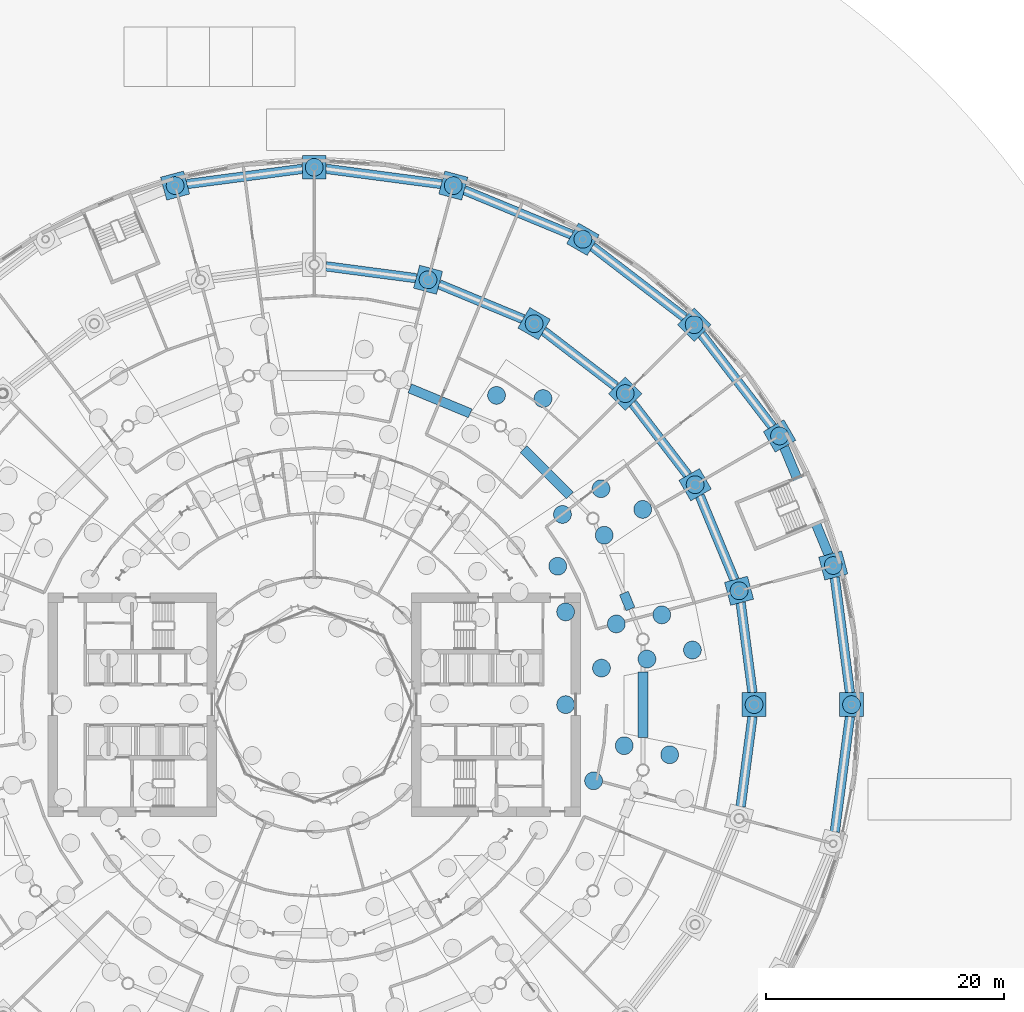
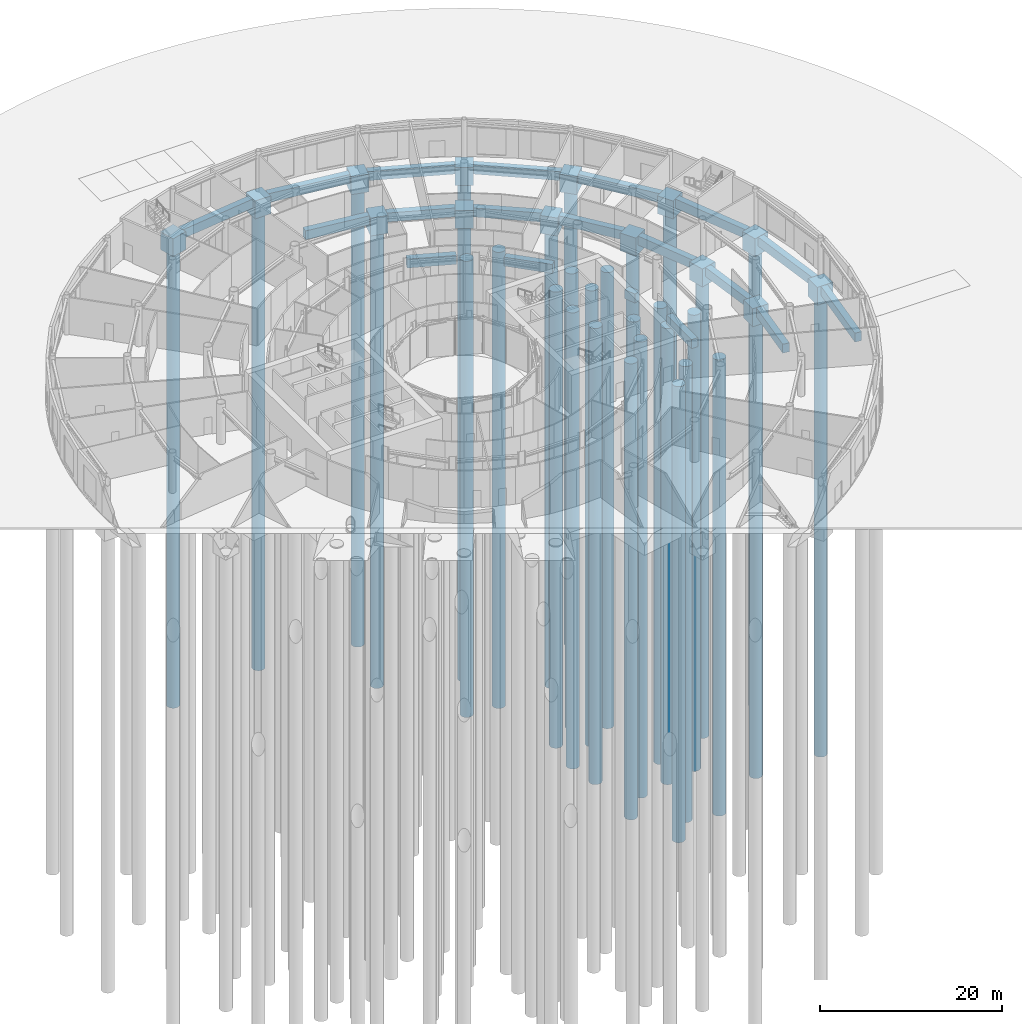
# One storey, part 3 of 41: 33 footings, 31 piles.
"""IFC4 building model written with IfcOpenShell, lengths in metres."""

from ifc_helpers import new_model, si_unit, direction, frame, origin, origin_2d, place, context, subcontext, project, spatial, polyline, rectangle, circle, outline, extrude, material, layer, layer_set, material_profile, profile_set, type_object, element, save


model = new_model("IFC4")

# Units and contexts
model_context = context("Model", 3, precision=1e-05, world=origin(), true_north=direction((0.0, 1.0)))
body_context = subcontext(model_context, "Body", "Model", "MODEL_VIEW")
ifc_project = project(units=[si_unit("LENGTHUNIT", "METRE"), si_unit("AREAUNIT", "SQUARE_METRE"), si_unit("VOLUMEUNIT", "CUBIC_METRE"), si_unit("PLANEANGLEUNIT", "RADIAN"), si_unit("MASSUNIT", "GRAM", prefix="KILO")], contexts=[model_context])

# Site, building, storey
site_placement = place(None, origin())
site = spatial("IfcSite", under=ifc_project, at=site_placement, CompositionType="ELEMENT")
building_placement = place(site_placement, origin())
building = spatial("IfcBuilding", under=site, at=building_placement, Name="Maasbend Ring Residences", CompositionType="ELEMENT")
storey_placement = place(building_placement, origin())
storey = spatial("IfcBuildingStorey", under=building, at=storey_placement, Name="L00", CompositionType="ELEMENT", Elevation=0.0)

# Piles
ifc_material_1 = material(Name="Concrete C35/45", Category="concrete")
ifc_material_profile_1 = material_profile(ifc_material_1, circle(Radius=0.75, at=origin_2d()), Name="Bored pile D1500")
ifc_profile_set_1 = profile_set([ifc_material_profile_1], Name="Concrete C35/45")
pile_type = type_object("IfcPileType", Name="Bored pile D1500", PredefinedType="BORED", material=ifc_profile_set_1)
for number, where, z_axis, x_axis, name in (
    (1, (37.0, 0.0, -2.75), (0.0, 0.0, -1.0), (1.0, 0.0, 0.0), "Bored pile P001"),
    (2, (45.199951171875, 0.0, -2.75), (0.0, 0.0, -1.0), (1.0, 0.0, 0.0), "Bored pile P002"),
    (3, (35.7392578125, 9.576416015625, -2.75), (0.0, 0.0, -1.0), (1.0, 0.0, 0.0), "Bored pile P003"),
    (4, (43.659912109375, 11.698486328125, -2.75), (0.0, 0.0, -1.0), (1.0, 0.0, 0.0), "Bored pile P004"),
    (5, (32.04296875, 18.5, -2.75), (0.0, 0.0, -1.0), (1.0, 0.0, 0.0), "Bored pile P005"),
    (6, (39.144287109375, 22.60009765625, -2.75), (0.0, 0.0, -1.0), (1.0, 0.0, 0.0), "Bored pile P006"),
    (7, (26.1630859375, 26.1630859375, -2.75), (0.0, 0.0, -1.0), (1.0, 0.0, 0.0), "Bored pile P007"),
    (8, (31.961181640625, 31.961181640625, -2.75), (0.0, 0.0, -1.0), (1.0, 0.0, 0.0), "Bored pile P008"),
    (9, (18.5, 32.04296875, -2.75), (0.0, 0.0, -1.0), (1.0, 0.0, 0.0), "Bored pile P009"),
    (10, (22.60009765625, 39.144287109375, -2.75), (0.0, 0.0, -1.0), (1.0, 0.0, 0.0), "Bored pile P010"),
    (11, (9.576416015625, 35.7392578125, -2.75), (0.0, 0.0, -1.0), (1.0, 0.0, 0.0), "Bored pile P011"),
    (12, (11.698486328125, 43.659912109375, -2.75), (0.0, 0.0, -1.0), (1.0, 0.0, 0.0), "Bored pile P012"),
    (13, (0.0, 45.199951171875, -2.75), (0.0, 0.0, -1.0), (1.0, 0.0, 0.0), "Bored pile P014"),
    (14, (-11.698486328125, 43.659912109375, -2.75), (0.0, 0.0, -1.0), (1.0, 0.0, 0.0), "Bored pile P016"),
    (15, (23.50146484375, -6.407958984375, -2.75), (0.0, 0.0, -1.0), (1.0, 0.0, 0.0), "Bored pile P086"),
    (16, (29.90234375, -4.214599609375, -2.75), (0.0, 0.0, -1.0), (1.0, 0.0, 0.0), "Bored pile P090"),
    (17, (26.0771484375, -3.45361328125, -2.75), (0.0, 0.0, -1.0), (1.0, 0.0, 0.0), "Bored pile P096"),
    (18, (21.14990234375, 0.0, -2.75), (0.0, 0.0, -1.0), (1.0, 0.0, 0.0), "Bored pile P102"),
    (19, (24.164794921875, 3.0732421875, -2.75), (0.0, 0.0, -1.0), (1.0, 0.0, 0.0), "Bored pile P106"),
    (20, (27.98974609375, 3.834228515625, -2.75), (0.0, 0.0, -1.0), (1.0, 0.0, 0.0), "Bored pile P109"),
    (21, (31.814697265625, 4.594970703125, -2.75), (0.0, 0.0, -1.0), (1.0, 0.0, 0.0), "Bored pile P115"),
    (22, (25.413818359375, 6.788330078125, -2.75), (0.0, 0.0, -1.0), (1.0, 0.0, 0.0), "Bored pile P119"),
    (23, (29.239013671875, 7.54931640625, -2.75), (0.0, 0.0, -1.0), (1.0, 0.0, 0.0), "Bored pile P124"),
    (24, (21.14990234375, 7.800048828125, -2.75), (0.0, 0.0, -1.0), (1.0, 0.0, 0.0), "Bored pile P125"),
    (25, (20.48388671875, 11.642333984375, -2.75), (0.0, 0.0, -1.0), (1.0, 0.0, 0.0), "Bored pile P134"),
    (26, (24.391845703125, 14.253662109375, -2.75), (0.0, 0.0, -1.0), (1.0, 0.0, 0.0), "Bored pile P140"),
    (27, (20.881591796875, 15.997314453125, -2.75), (0.0, 0.0, -1.0), (1.0, 0.0, 0.0), "Bored pile P145"),
    (28, (27.634521484375, 16.42041015625, -2.75), (0.0, 0.0, -1.0), (1.0, 0.0, 0.0), "Bored pile P146"),
    (29, (24.124267578125, 18.1640625, -2.75), (0.0, 0.0, -1.0), (1.0, 0.0, 0.0), "Bored pile P152"),
    (30, (19.247314453125, 25.74560546875, -2.75), (0.0, 0.0, -1.0), (1.0, 0.0, 0.0), "Bored pile P169"),
    (31, (15.3369140625, 26.01318359375, -2.75), (0.0, 0.0, -1.0), (1.0, 0.0, 0.0), "Bored pile P170"),
):
    element("IfcPile", number, at=place(storey_placement, frame(where, z_axis=z_axis, x_axis=x_axis)), inside=storey, type_object=pile_type, Name=name, PredefinedType="BORED", context=body_context, shape_type="SweptSolid", body=[
        extrude(circle(Radius=0.75, at=origin_2d()), origin(), (0.0, 0.0, 1.0), 61.14990234375),
    ])

# Footings
ifc_material_2 = material(Name="Concrete C40/50", Category="concrete")
ifc_material_profile_2 = material_profile(ifc_material_2, rectangle(XDim=0.800048828125, YDim=1.199951171875, at=origin_2d()), Name="Ground beam RC 800x1200")
ifc_profile_set_2 = profile_set([ifc_material_profile_2], Name="Concrete C40/50")
footing_type_1 = type_object("IfcFootingType", Name="Ground beam RC 800x1200", PredefinedType="FOOTING_BEAM", material=ifc_profile_set_2)
footing_1_placement = place(storey_placement, frame((26.603515625, 8.047607421875, -1.10009765625), z_axis=(-0.38268475408, 0.923878985038, 0.0), x_axis=(-0.923878985038, -0.38268475408, 0.0)))
element("IfcFooting", 32, at=footing_1_placement, inside=storey, type_object=footing_type_1, Name="Ground beam", PredefinedType="FOOTING_BEAM", context=body_context, shape_type="SweptSolid", body=[
    extrude(rectangle(XDim=0.800048828125, YDim=1.199951171875, at=origin_2d()), origin(), (0.0, 0.0, 1.0), 1.4462890625),
])
footing_2_placement = place(storey_placement, frame((21.500732421875, 17.61376953125, -1.10009765625), z_axis=(-0.707106781187, 0.707106781187, 0.0), x_axis=(-0.707106781187, -0.707106781187, 0.0)))
element("IfcFooting", 33, at=footing_2_placement, inside=storey, type_object=footing_type_1, Name="Ground beam", PredefinedType="FOOTING_BEAM", context=body_context, shape_type="SweptSolid", body=[
    extrude(rectangle(XDim=0.800048828125, YDim=1.199951171875, at=origin_2d()), origin(), (0.0, 0.0, 1.0), 5.4970703125),
])
footing_3_placement = place(storey_placement, frame((13.123779296875, 24.5009765625, -1.10009765625), z_axis=(-0.923888501881, 0.382661777673, 0.0), x_axis=(-0.382661777673, -0.923888501881, 0.0)))
element("IfcFooting", 34, at=footing_3_placement, inside=storey, type_object=footing_type_1, Name="Ground beam", PredefinedType="FOOTING_BEAM", context=body_context, shape_type="SweptSolid", body=[
    extrude(rectangle(XDim=0.800048828125, YDim=1.199951171875, at=origin_2d()), origin(), (0.0, 0.0, 1.0), 5.4951171875),
])
footing_4_placement = place(storey_placement, frame((27.658203125, -2.746826171875, -1.10009765625), z_axis=(0.0, 1.0, 0.0), x_axis=(-1.0, 0.0, 0.0)))
element("IfcFooting", 35, at=footing_4_placement, inside=storey, type_object=footing_type_1, Name="Ground beam", PredefinedType="FOOTING_BEAM", context=body_context, shape_type="SweptSolid", body=[
    extrude(rectangle(XDim=0.800048828125, YDim=1.199951171875, at=origin_2d()), origin(), (0.0, 0.0, 1.0), 5.495361328125),
])
for number, where, z_axis, x_axis, name in (
    (36, (36.868408203125, 1.0, -1.10009765625), (-0.130539634333, 0.991443091593, 0.0), (-0.991443091593, -0.130539634333, 0.0), "Ground beam"),
    (37, (35.353271484375, 10.508056640625, -1.10009765625), (-0.382677220428, 0.923882105555, 0.0), (-0.923882105555, -0.382677220428, 0.0), "Ground beam"),
):
    element("IfcFooting", number, at=place(storey_placement, frame(where, z_axis=z_axis, x_axis=x_axis)), inside=storey, type_object=footing_type_1, Name=name, PredefinedType="FOOTING_BEAM", context=body_context, shape_type="SweptSolid", body=[
        extrude(rectangle(XDim=0.800048828125, YDim=1.199951171875, at=origin_2d()), origin(), (0.0, 0.0, 1.0), 7.641845703125),
    ])
for number, where, z_axis, x_axis, name in (
    (38, (31.428955078125, 19.30029296875, -1.10009765625), (-0.608756124935, 0.793357410222, 0.0), (-0.793357410222, -0.608756124935, 0.0), "Ground beam"),
    (39, (25.36279296875, 26.777099609375, -1.10009765625), (-0.793357410222, 0.608756124935, 0.0), (-0.608756124935, -0.793357410222, 0.0), "Ground beam"),
):
    element("IfcFooting", number, at=place(storey_placement, frame(where, z_axis=z_axis, x_axis=x_axis)), inside=storey, type_object=footing_type_1, Name=name, PredefinedType="FOOTING_BEAM", context=body_context, shape_type="SweptSolid", body=[
        extrude(rectangle(XDim=0.800048828125, YDim=1.199951171875, at=origin_2d()), origin(), (0.0, 0.0, 1.0), 7.6416015625),
    ])
for number, where, z_axis, x_axis, name in (
    (40, (17.568115234375, 32.428955078125, -1.10009765625), (-0.923882105555, 0.382677220428, 0.0), (-0.382677220428, -0.923882105555, 0.0), "Ground beam"),
    (41, (8.576416015625, 35.870849609375, -1.10009765625), (-0.991443091593, 0.130539634333, 0.0), (-0.130539634333, -0.991443091593, 0.0), "Ground beam"),
    (42, (35.870849609375, -8.576416015625, -1.10009765625), (0.130539634333, 0.991443091593, 0.0), (-0.991443091593, 0.130539634333, 0.0), "Ground beam"),
):
    element("IfcFooting", number, at=place(storey_placement, frame(where, z_axis=z_axis, x_axis=x_axis)), inside=storey, type_object=footing_type_1, Name=name, PredefinedType="FOOTING_BEAM", context=body_context, shape_type="SweptSolid", body=[
        extrude(rectangle(XDim=0.800048828125, YDim=1.199951171875, at=origin_2d()), origin(), (0.0, 0.0, 1.0), 7.641845703125),
    ])
for number, where, z_axis, x_axis, name in (
    (43, (45.068359375, 1.0, -1.10009765625), (-0.130528756683, 0.991444523753, 0.0), (-0.991444523753, -0.130528756683, 0.0), "Ground beam"),
    (44, (43.273681640625, 12.630615234375, -1.10009765625), (-0.382675813402, 0.923882688352, 0.0), (-0.923882688352, -0.382675813402, 0.0), "Ground beam"),
    (45, (38.5302734375, 23.400146484375, -1.10009765625), (-0.608764723177, 0.793350812576, 0.0), (-0.793350812576, -0.608764723177, 0.0), "Ground beam"),
    (46, (31.160888671875, 32.5751953125, -1.10009765625), (-0.793350812576, 0.608764723177, 0.0), (-0.608764723177, -0.793350812576, 0.0), "Ground beam"),
    (47, (21.668212890625, 39.5302734375, -1.10009765625), (-0.923882688352, 0.382675813402, 0.0), (-0.382675813402, -0.923882688352, 0.0), "Ground beam"),
    (48, (10.698486328125, 43.79150390625, -1.10009765625), (-0.991444523753, 0.130528756683, 0.0), (-0.130528756683, -0.991444523753, 0.0), "Ground beam"),
    (49, (-1.0, 45.068359375, -1.10009765625), (-0.991444523753, -0.130528756683, 0.0), (0.130528756683, -0.991444523753, 0.0), "Ground beam"),
    (50, (43.79150390625, -10.698486328125, -1.10009765625), (0.130528756683, 0.991444523753, 0.0), (-0.991444523753, 0.130528756683, 0.0), "Ground beam"),
):
    element("IfcFooting", number, at=place(storey_placement, frame(where, z_axis=z_axis, x_axis=x_axis)), inside=storey, type_object=footing_type_1, Name=name, PredefinedType="FOOTING_BEAM", context=body_context, shape_type="SweptSolid", body=[
        extrude(rectangle(XDim=0.800048828125, YDim=1.199951171875, at=origin_2d()), origin(), (0.0, 0.0, 1.0), 9.7822265625),
    ])
ifc_material_3 = material(Name="Concrete C40/50", Category="concrete")
ifc_layer = layer(ifc_material_3, 2.39990234375)
ifc_layer_set = layer_set([ifc_layer], Name="Concrete C40/50")
footing_type_2 = type_object("IfcFootingType", Name="Pile cap 2400", PredefinedType="PILE_CAP", material=ifc_layer_set)
footing_5_placement = place(storey_placement, frame((0.0, 0.0, -2.89990234375)))
element("IfcFooting", 51, at=footing_5_placement, inside=storey, type_object=footing_type_2, Name="Pile cap PC01 on 1 piles", PredefinedType="PILE_CAP", context=body_context, shape_type="SweptSolid", body=[
    extrude(outline(polyline([(36.0, -1.0), (38.0, -1.0), (38.0, 1.0), (36.0, 1.0), (36.0, -1.0)])), origin(), (0.0, 0.0, 1.0), 2.39990234375),
])
footing_6_placement = place(storey_placement, frame((0.0, 0.0, -2.89990234375)))
element("IfcFooting", 52, at=footing_6_placement, inside=storey, type_object=footing_type_2, Name="Pile cap PC02 on 1 piles", PredefinedType="PILE_CAP", context=body_context, shape_type="SweptSolid", body=[
    extrude(outline(polyline([(44.199951171875, -1.0), (46.199951171875, -1.0), (46.199951171875, 1.0), (44.199951171875, 1.0), (44.199951171875, -1.0)])), origin(), (0.0, 0.0, 1.0), 2.39990234375),
])
footing_7_placement = place(storey_placement, frame((0.0, 0.0, -2.89990234375)))
element("IfcFooting", 53, at=footing_7_placement, inside=storey, type_object=footing_type_2, Name="Pile cap PC03 on 1 piles", PredefinedType="PILE_CAP", context=body_context, shape_type="SweptSolid", body=[
    extrude(outline(polyline([(35.0322265625, 8.3515625), (36.964111328125, 8.869140625), (36.4462890625, 10.801025390625), (34.5146484375, 10.283447265625), (35.0322265625, 8.3515625)])), origin(), (0.0, 0.0, 1.0), 2.39990234375),
])
footing_8_placement = place(storey_placement, frame((0.0, 0.0, -2.89990234375)))
element("IfcFooting", 54, at=footing_8_placement, inside=storey, type_object=footing_type_2, Name="Pile cap PC04 on 1 piles", PredefinedType="PILE_CAP", context=body_context, shape_type="SweptSolid", body=[
    extrude(outline(polyline([(42.95263671875, 10.473876953125), (44.884521484375, 10.991455078125), (44.366943359375, 12.92333984375), (42.43505859375, 12.40576171875), (42.95263671875, 10.473876953125)])), origin(), (0.0, 0.0, 1.0), 2.39990234375),
])
footing_9_placement = place(storey_placement, frame((0.0, 0.0, -2.89990234375)))
element("IfcFooting", 55, at=footing_9_placement, inside=storey, type_object=footing_type_2, Name="Pile cap PC05 on 1 piles", PredefinedType="PILE_CAP", context=body_context, shape_type="SweptSolid", body=[
    extrude(outline(polyline([(31.677001953125, 17.134033203125), (33.408935546875, 18.134033203125), (32.408935546875, 19.865966796875), (30.677001953125, 18.865966796875), (31.677001953125, 17.134033203125)])), origin(), (0.0, 0.0, 1.0), 2.39990234375),
])
footing_10_placement = place(storey_placement, frame((0.0, 0.0, -2.89990234375)))
element("IfcFooting", 56, at=footing_10_placement, inside=storey, type_object=footing_type_2, Name="Pile cap PC06 on 1 piles", PredefinedType="PILE_CAP", context=body_context, shape_type="SweptSolid", body=[
    extrude(outline(polyline([(38.7783203125, 21.23388671875), (40.51025390625, 22.23388671875), (39.51025390625, 23.966064453125), (37.7783203125, 22.966064453125), (38.7783203125, 21.23388671875)])), origin(), (0.0, 0.0, 1.0), 2.39990234375),
])
footing_11_placement = place(storey_placement, frame((0.0, 0.0, -2.89990234375)))
element("IfcFooting", 57, at=footing_11_placement, inside=storey, type_object=footing_type_2, Name="Pile cap PC07 on 1 piles", PredefinedType="PILE_CAP", context=body_context, shape_type="SweptSolid", body=[
    extrude(outline(polyline([(26.1630859375, 24.748779296875), (27.5771484375, 26.1630859375), (26.1630859375, 27.5771484375), (24.748779296875, 26.1630859375), (26.1630859375, 24.748779296875)])), origin(), (0.0, 0.0, 1.0), 2.39990234375),
])
footing_12_placement = place(storey_placement, frame((0.0, 0.0, -2.89990234375)))
element("IfcFooting", 58, at=footing_12_placement, inside=storey, type_object=footing_type_2, Name="Pile cap PC08 on 1 piles", PredefinedType="PILE_CAP", context=body_context, shape_type="SweptSolid", body=[
    extrude(outline(polyline([(31.961181640625, 30.547119140625), (33.37548828125, 31.961181640625), (31.961181640625, 33.37548828125), (30.547119140625, 31.961181640625), (31.961181640625, 30.547119140625)])), origin(), (0.0, 0.0, 1.0), 2.39990234375),
])
footing_13_placement = place(storey_placement, frame((0.0, 0.0, -2.89990234375)))
element("IfcFooting", 59, at=footing_13_placement, inside=storey, type_object=footing_type_2, Name="Pile cap PC09 on 1 piles", PredefinedType="PILE_CAP", context=body_context, shape_type="SweptSolid", body=[
    extrude(outline(polyline([(18.865966796875, 30.677001953125), (19.865966796875, 32.408935546875), (18.134033203125, 33.408935546875), (17.134033203125, 31.677001953125), (18.865966796875, 30.677001953125)])), origin(), (0.0, 0.0, 1.0), 2.39990234375),
])
footing_14_placement = place(storey_placement, frame((0.0, 0.0, -2.89990234375)))
element("IfcFooting", 60, at=footing_14_placement, inside=storey, type_object=footing_type_2, Name="Pile cap PC10 on 1 piles", PredefinedType="PILE_CAP", context=body_context, shape_type="SweptSolid", body=[
    extrude(outline(polyline([(22.966064453125, 37.7783203125), (23.966064453125, 39.51025390625), (22.23388671875, 40.51025390625), (21.23388671875, 38.7783203125), (22.966064453125, 37.7783203125)])), origin(), (0.0, 0.0, 1.0), 2.39990234375),
])
footing_15_placement = place(storey_placement, frame((0.0, 0.0, -2.89990234375)))
element("IfcFooting", 61, at=footing_15_placement, inside=storey, type_object=footing_type_2, Name="Pile cap PC11 on 1 piles", PredefinedType="PILE_CAP", context=body_context, shape_type="SweptSolid", body=[
    extrude(outline(polyline([(10.283447265625, 34.5146484375), (10.801025390625, 36.4462890625), (8.869140625, 36.964111328125), (8.3515625, 35.0322265625), (10.283447265625, 34.5146484375)])), origin(), (0.0, 0.0, 1.0), 2.39990234375),
])
footing_16_placement = place(storey_placement, frame((0.0, 0.0, -2.89990234375)))
element("IfcFooting", 62, at=footing_16_placement, inside=storey, type_object=footing_type_2, Name="Pile cap PC12 on 1 piles", PredefinedType="PILE_CAP", context=body_context, shape_type="SweptSolid", body=[
    extrude(outline(polyline([(12.40576171875, 42.43505859375), (12.92333984375, 44.366943359375), (10.991455078125, 44.884521484375), (10.473876953125, 42.95263671875), (12.40576171875, 42.43505859375)])), origin(), (0.0, 0.0, 1.0), 2.39990234375),
])
footing_17_placement = place(storey_placement, frame((0.0, 0.0, -2.89990234375)))
element("IfcFooting", 63, at=footing_17_placement, inside=storey, type_object=footing_type_2, Name="Pile cap PC14 on 1 piles", PredefinedType="PILE_CAP", context=body_context, shape_type="SweptSolid", body=[
    extrude(outline(polyline([(1.0, 44.199951171875), (1.0, 46.199951171875), (-1.0, 46.199951171875), (-1.0, 44.199951171875), (1.0, 44.199951171875)])), origin(), (0.0, 0.0, 1.0), 2.39990234375),
])
footing_18_placement = place(storey_placement, frame((0.0, 0.0, -2.89990234375)))
element("IfcFooting", 64, at=footing_18_placement, inside=storey, type_object=footing_type_2, Name="Pile cap PC16 on 1 piles", PredefinedType="PILE_CAP", context=body_context, shape_type="SweptSolid", body=[
    extrude(outline(polyline([(-10.473876953125, 42.95263671875), (-10.991455078125, 44.884521484375), (-12.92333984375, 44.366943359375), (-12.40576171875, 42.43505859375), (-10.473876953125, 42.95263671875)])), origin(), (0.0, 0.0, 1.0), 2.39990234375),
])

save(model, "model.ifc")
